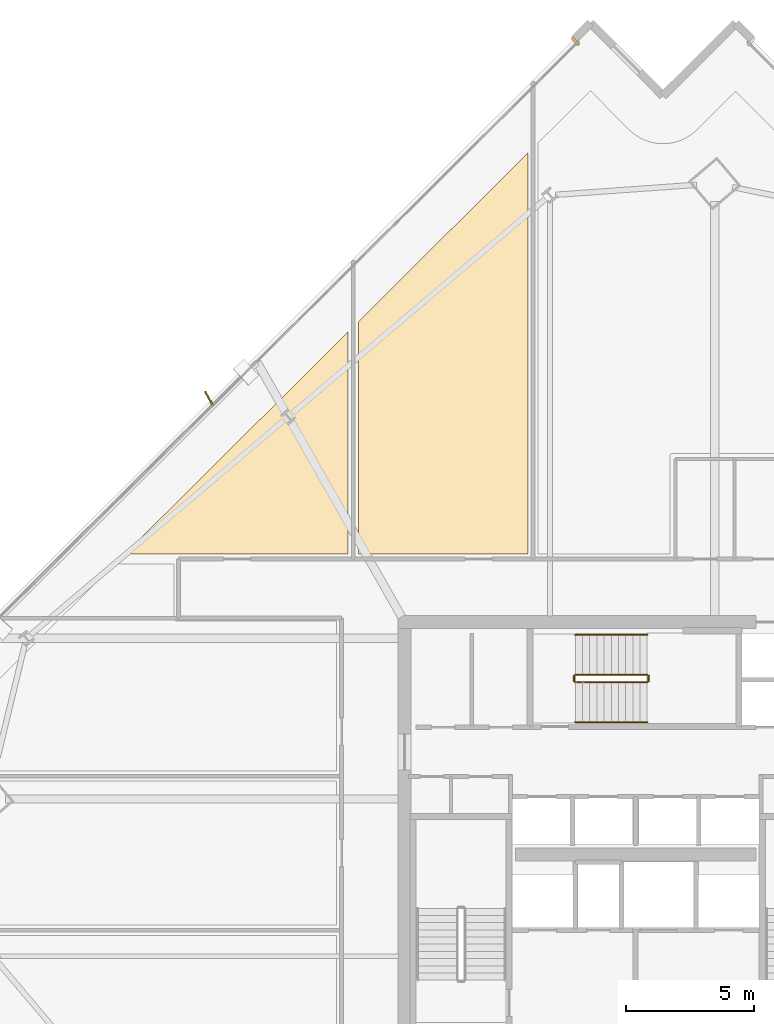
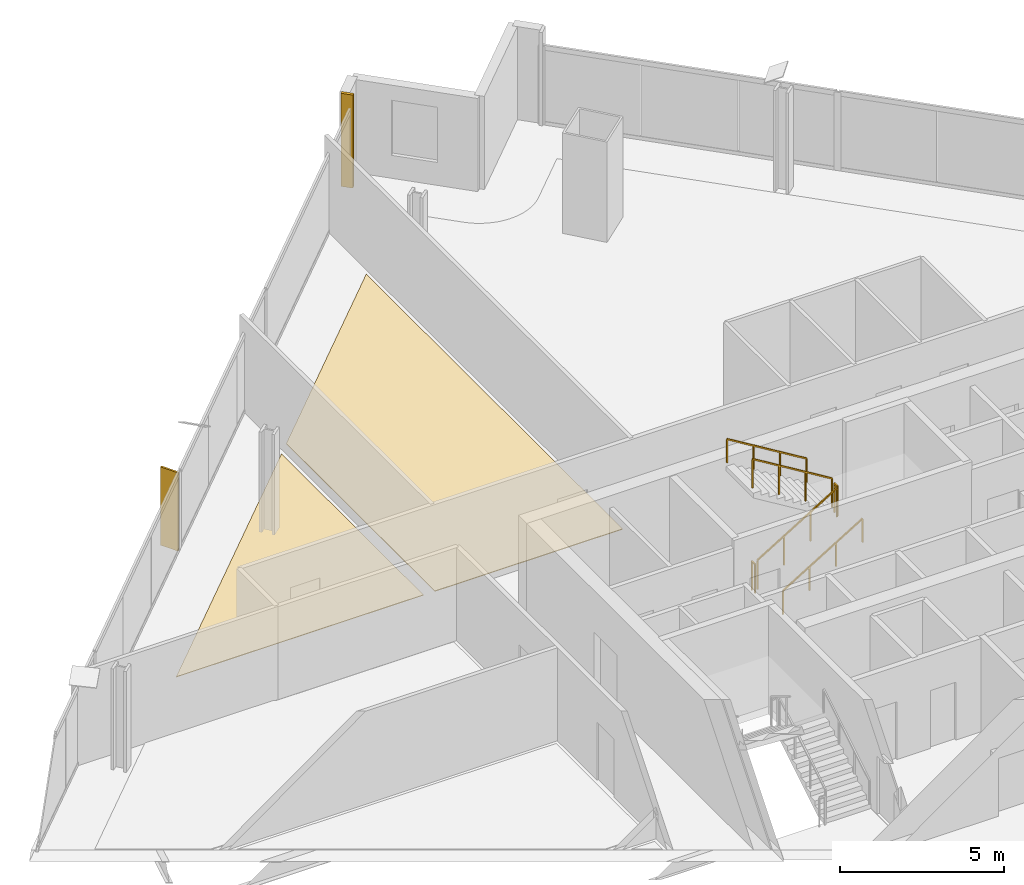
# One storey, part 31 of 32: 6 railings, 3 coverings, 1 shading device.
"""IFC4 building model written with IfcOpenShell, lengths in metres."""

import ifcopenshell
import ifcopenshell.guid

model = None  # the IFC model being written
_history = None  # IfcOwnerHistory: only IFC2X3 demands one
_inside = {}  # id of a spatial element -> (the spatial element, [elements in it])
_under = {}  # id of a project, library or spatial element -> (it, [spatial elements below it])
_declared = {}  # id of a project -> (the project, [libraries it declares])
_typed = {}  # id of a type object -> (the type object, [elements of that type])
_made_of = {}  # id of a material, layer set ... -> (it, [elements and type objects made of it])


def new_model(schema):
    """Start an empty IFC model of exactly this schema.

    Asked for "IFC4X3", IfcOpenShell would pick the latest addendum, in which some entities
    have other attributes; the version numbers below select the first issue.
    IFC2X3 requires an IfcOwnerHistory on every rooted entity: one is made here for all.
    """
    global model, _history
    if schema == "IFC4X3":
        model = ifcopenshell.file(schema_version=(4, 3, 0, 0))
    else:
        model = ifcopenshell.file(schema=schema)
    _inside.clear()
    _under.clear()
    _declared.clear()
    _typed.clear()
    _made_of.clear()
    _history = None
    if model.schema == "IFC2X3":
        org = make("IfcOrganization", Name="unknown")
        user = make(
            "IfcPersonAndOrganization",
            ThePerson=make("IfcPerson", FamilyName="unknown"),
            TheOrganization=org,
        )
        app = make(
            "IfcApplication",
            ApplicationDeveloper=org,
            Version="unknown",
            ApplicationFullName="unknown",
            ApplicationIdentifier="unknown",
        )
        _history = make(
            "IfcOwnerHistory",
            OwningUser=user,
            OwningApplication=app,
            ChangeAction="ADDED",
            CreationDate=0,
        )
    return model


def make(cls, **values):
    """One entity of the class cls with the attributes given. An attribute that is None is left unset."""
    return model.create_entity(
        cls, **{name: value for name, value in values.items() if value is not None}
    )


def rooted(cls, **values):
    """An entity with a GlobalId (a new one), such as an element, a storey or a relation."""
    return make(cls, GlobalId=ifcopenshell.guid.new(), OwnerHistory=_history, **values)


def si_unit(unit_type, name, prefix=None):
    """IfcSIUnit, for example si_unit("LENGTHUNIT", "METRE", prefix="MILLI")."""
    return make("IfcSIUnit", UnitType=unit_type, Prefix=prefix, Name=name)


def assignment(units):
    """IfcUnitAssignment: the units of a project."""
    return None if units is None else make("IfcUnitAssignment", Units=units)


def point(xyz):
    """IfcCartesianPoint."""
    return None if xyz is None else make("IfcCartesianPoint", Coordinates=xyz)


def direction(xyz):
    """IfcDirection."""
    return None if xyz is None else make("IfcDirection", DirectionRatios=xyz)


def frame(location, z_axis=None, x_axis=None):
    """IfcAxis2Placement3D, a coordinate frame: its origin and axes. An axis left out is left unset."""
    return make(
        "IfcAxis2Placement3D",
        Location=point(location),
        Axis=direction(z_axis),
        RefDirection=direction(x_axis),
    )


def frame_2d(location, x_axis=None):
    """IfcAxis2Placement2D, a coordinate frame in the plane: its origin and x axis."""
    return make(
        "IfcAxis2Placement2D", Location=point(location), RefDirection=direction(x_axis)
    )


def origin():
    """The frame at (0, 0, 0) with its axes left unset."""
    return frame((0.0, 0.0, 0.0))


def origin_2d():
    """The frame at (0, 0) in the plane with its x axis left unset."""
    return frame_2d((0.0, 0.0))


def place(relative_to, where):
    """IfcLocalPlacement: puts the frame where relative to a parent placement (None: the world)."""
    return make(
        "IfcLocalPlacement", PlacementRelTo=relative_to, RelativePlacement=where
    )


def context(
    kind, dimensions, precision=None, world=None, true_north=None, identifier=None
):
    """IfcGeometricRepresentationContext, for example the 3D "Model" context."""
    return make(
        "IfcGeometricRepresentationContext",
        ContextIdentifier=identifier,
        ContextType=kind,
        CoordinateSpaceDimension=dimensions,
        Precision=precision,
        WorldCoordinateSystem=world,
        TrueNorth=true_north,
    )


def subcontext(parent, identifier, kind, view, scale=None):
    """IfcGeometricRepresentationSubContext, for example "Body" below "Model"."""
    return make(
        "IfcGeometricRepresentationSubContext",
        ContextIdentifier=identifier,
        ContextType=kind,
        ParentContext=parent,
        TargetScale=scale,
        TargetView=view,
    )


def project(units=None, contexts=None):
    """IfcProject with its units and contexts."""
    return rooted(
        "IfcProject",
        Name="project",
        RepresentationContexts=contexts,
        UnitsInContext=assignment(units),
    )


def spatial(cls, under=None, at=None, **own):
    """A site, building, storey or space (cls), placed at a placement, below another one or the project."""
    s = rooted(cls, ObjectPlacement=at, **own)
    if under is not None:
        _under.setdefault(under.id(), (under, []))[1].append(s)
    return s


def polyline(points):
    """IfcPolyline through the points."""
    return make("IfcPolyline", Points=[point(p) for p in points])


def profile(cls, at=None, kind="AREA", **sizes):
    """A parametric profile (cls). Its sizes go by their IFC names, for example OverallWidth=200.0."""
    return make(cls, ProfileType=kind, Position=at, **sizes)


def rectangle(**sizes):
    """IfcRectangleProfileDef."""
    return profile("IfcRectangleProfileDef", **sizes)


def outline(outer, holes=None, kind="AREA"):
    """IfcArbitraryClosedProfileDef: a profile drawn as a closed curve; with holes, ...WithVoids."""
    if holes is None:
        return make("IfcArbitraryClosedProfileDef", ProfileType=kind, OuterCurve=outer)
    return make(
        "IfcArbitraryProfileDefWithVoids",
        ProfileType=kind,
        OuterCurve=outer,
        InnerCurves=holes,
    )


def extrude(swept, where, along, depth):
    """IfcExtrudedAreaSolid: the profile swept, set in the frame where, extruded along a direction by depth."""
    return make(
        "IfcExtrudedAreaSolid",
        SweptArea=swept,
        Position=where,
        ExtrudedDirection=direction(along),
        Depth=depth,
    )


def shape(context_of_items, identifier, shape_type, items):
    """IfcShapeRepresentation: the items that make up one representation, for example the "Body"."""
    return make(
        "IfcShapeRepresentation",
        ContextOfItems=context_of_items,
        RepresentationIdentifier=identifier,
        RepresentationType=shape_type,
        Items=items,
    )


def source(mapping_origin, context_of_items, identifier, shape_type, items):
    """IfcRepresentationMap: a shape defined once, which mapped items show again and again."""
    return make(
        "IfcRepresentationMap",
        MappingOrigin=mapping_origin,
        MappedRepresentation=shape(context_of_items, identifier, shape_type, items),
    )


def transform(
    local_origin,
    x_axis=None,
    y_axis=None,
    z_axis=None,
    scale=None,
    scale2=None,
    scale3=None,
    uniform=True,
):
    """IfcCartesianTransformationOperator3D, or its non-uniform kind. x_axis, y_axis, z_axis: its Axis1, 2, 3."""
    if uniform:
        return make(
            "IfcCartesianTransformationOperator3D",
            Axis1=direction(x_axis),
            Axis2=direction(y_axis),
            LocalOrigin=point(local_origin),
            Scale=scale,
            Axis3=direction(z_axis),
        )
    return make(
        "IfcCartesianTransformationOperator3DnonUniform",
        Axis1=direction(x_axis),
        Axis2=direction(y_axis),
        LocalOrigin=point(local_origin),
        Scale=scale,
        Axis3=direction(z_axis),
        Scale2=scale2,
        Scale3=scale3,
    )


def mapped(mapping_source, mapping_target):
    """IfcMappedItem: shows the shape of a source again, moved by a transform."""
    return make(
        "IfcMappedItem", MappingSource=mapping_source, MappingTarget=mapping_target
    )


def material(Name=None, Category=None):
    """IfcMaterial."""
    return make("IfcMaterial", Name=Name, Category=Category)


def layer(
    of_material, thickness, ventilated=None, Name=None, Category=None, Priority=None
):
    """IfcMaterialLayer: one layer of a wall or slab, of a material (None: an air gap)."""
    return make(
        "IfcMaterialLayer",
        Material=of_material,
        LayerThickness=thickness,
        IsVentilated=ventilated,
        Name=Name,
        Category=Category,
        Priority=Priority,
    )


def layer_set(layers, Name=None):
    """IfcMaterialLayerSet."""
    return make("IfcMaterialLayerSet", MaterialLayers=layers, LayerSetName=Name)


def made_of(thing, what):
    """Note that an element or type object is made of a material, layer set ...; save() writes the relation."""
    if what is not None:
        _made_of.setdefault(what.id(), (what, []))[1].append(thing)
    return thing


def type_object(cls, material=None, **own):
    """A type object (cls), such as IfcWallType, which elements share."""
    return made_of(rooted(cls, **own), material)


def element(
    cls,
    number,
    at=None,
    inside=None,
    cuts=None,
    type_object=None,
    material=None,
    context=None,
    identifier="Body",
    shape_type=None,
    held_by="IfcProductDefinitionShape",
    body=None,
    shapes=None,
    **own,
):
    """One element of the class cls, such as IfcWall. Its Tag is "e" and its number.

    at: its placement. inside: the storey or other place that contains it. cuts: it is an
    opening in that element (IfcRelVoidsElement). A single representation is given by context,
    identifier, shape_type and body (its items); several are given by shapes. held_by: the class
    of the entity that holds the representations. save() writes the other relations.
    """
    e = rooted(cls, Tag="e%d" % number, ObjectPlacement=at, **own)
    if body is not None:
        shapes = [shape(context, identifier, shape_type, body)]
    if shapes is not None:
        e.Representation = make(held_by, Representations=shapes)
    if inside is not None:
        _inside.setdefault(inside.id(), (inside, []))[1].append(e)
    if cuts is not None:
        rooted(
            "IfcRelVoidsElement", RelatingBuildingElement=cuts, RelatedOpeningElement=e
        )
    if type_object is not None:
        _typed.setdefault(type_object.id(), (type_object, []))[1].append(e)
    return made_of(e, material)


def aggregate(whole, parts):
    """IfcRelAggregates: a whole, such as a stair, and the parts it consists of."""
    return rooted("IfcRelAggregates", RelatingObject=whole, RelatedObjects=parts)


def save(model, path):
    """Write the relations noted so far, then the file.

    IfcRelAggregates (storeys below a building ...), IfcRelContainedInSpatialStructure (elements
    in a storey), IfcRelDefinesByType, IfcRelAssociatesMaterial and IfcRelDeclares: one each for
    every whole, place, type object, material and project.
    """
    for whole, parts in _under.values():
        aggregate(whole, parts)
    for where, things in _inside.values():
        rooted(
            "IfcRelContainedInSpatialStructure",
            RelatedElements=things,
            RelatingStructure=where,
        )
    for kind, things in _typed.values():
        rooted("IfcRelDefinesByType", RelatedObjects=things, RelatingType=kind)
    for what, things in _made_of.values():
        rooted("IfcRelAssociatesMaterial", RelatedObjects=things, RelatingMaterial=what)
    for by, libraries in _declared.values():
        rooted("IfcRelDeclares", RelatingContext=by, RelatedDefinitions=libraries)
    model.write(path)


model = new_model("IFC4")

# Units and contexts
model_context = context("Model", 3, precision=1e-05, world=origin(), true_north=direction((0.0, 1.0)))
body_context = subcontext(model_context, "Body", "Model", "MODEL_VIEW")
ifc_project = project(units=[si_unit("LENGTHUNIT", "METRE"), si_unit("AREAUNIT", "SQUARE_METRE"), si_unit("VOLUMEUNIT", "CUBIC_METRE"), si_unit("PLANEANGLEUNIT", "RADIAN"), si_unit("MASSUNIT", "GRAM", prefix="KILO")], contexts=[model_context])

# Site, building, storey
site_placement = place(None, origin())
site = spatial("IfcSite", under=ifc_project, at=site_placement, CompositionType="ELEMENT")
building_placement = place(site_placement, origin())
building = spatial("IfcBuilding", under=site, at=building_placement, Name="Haldenkirk Collegiate Tower", CompositionType="ELEMENT")
storey_placement = place(building_placement, frame((0.0, 0.0, 178.199951171875)))
storey = spatial("IfcBuildingStorey", under=building, at=storey_placement, Name="L44", CompositionType="ELEMENT", Elevation=178.199951171875)

# Coverings
ifc_material_1 = material(Name="Polished collegiate terrazzo", Category="concrete")
ifc_layer_1 = layer(ifc_material_1, 0.02490234375)
ifc_layer_set_1 = layer_set([ifc_layer_1], Name="Polished collegiate terrazzo")
covering_type_1 = type_object("IfcCoveringType", Name="COV-FLOOR-TERRAZZO", PredefinedType="FLOORING", material=ifc_layer_set_1)
covering_1_placement = place(storey_placement, origin())
element("IfcCovering", 1, at=covering_1_placement, inside=storey, type_object=covering_type_1, Name="L44 academic room finish 06", PredefinedType="FLOORING", context=body_context, shape_type="SweptSolid", body=[
    extrude(outline(polyline([(31.800048828125, 52.260986328125), (31.800048828125, 36.64990234375), (25.199951171875, 36.64990234375), (25.199951171875, 45.695556640625), (31.800048828125, 52.260986328125)])), origin(), (0.0, 0.0, 1.0), 0.025146484375),
])
ifc_material_2 = material(Name="Engineered collegiate oak acoustic flooring", Category="wood")
ifc_layer_2 = layer(ifc_material_2, 0.02197265625)
ifc_layer_set_2 = layer_set([ifc_layer_2], Name="Engineered collegiate oak acoustic flooring")
covering_type_2 = type_object("IfcCoveringType", Name="COV-FLOOR-TIMBER", PredefinedType="FLOORING", material=ifc_layer_set_2)
covering_2_placement = place(storey_placement, origin())
element("IfcCovering", 2, at=covering_2_placement, inside=storey, type_object=covering_type_2, Name="L44 academic room finish 05", PredefinedType="FLOORING", context=body_context, shape_type="SweptSolid", body=[
    extrude(outline(polyline([(24.800048828125, 45.297607421875), (24.800048828125, 36.64990234375), (16.10693359375, 36.64990234375), (24.800048828125, 45.297607421875)])), origin(), (0.0, 0.0, 1.0), 0.02197265625),
])

# Railings
ifc_material_3 = material(Name="Painted architectural tubular steel", Category="steel")
railing_type_1 = type_object("IfcRailingType", Name="RLG-STAIR-GUARD-1100", PredefinedType="BALUSTRADE", material=ifc_material_3)
railing_1_placement = place(storey_placement, frame((33.64990234375, 31.64990234375, 0.17041015625)))
element("IfcRailing", 3, at=railing_1_placement, inside=storey, type_object=railing_type_1, Name="L44 ST-3 stair guard 1", PredefinedType="BALUSTRADE", context=body_context, shape_type="SweptSolid", body=[
    extrude(rectangle(XDim=0.048095703125, YDim=0.048095703125, at=origin_2d()), frame((0.0, 0.0, 1.076171875), z_axis=(0.854169791009, 0.0, 0.51999420009), x_axis=(0.0, 1.0, 0.0)), (0.0, 0.0, 1.0), 3.278076171875),
    extrude(rectangle(XDim=0.0419921875, YDim=0.0419921875, at=origin_2d()), origin(), (0.0, 0.0, 1.0), 1.052001953125),
    extrude(rectangle(XDim=0.0419921875, YDim=0.0419921875, at=origin_2d()), frame((0.933349609375, 0.0, 0.568115234375)), (0.0, 0.0, 1.0), 1.052001953125),
    extrude(rectangle(XDim=0.0419921875, YDim=0.0419921875, at=origin_2d()), frame((1.86669921875, 0.0, 1.136474609375)), (0.0, 0.0, 1.0), 1.052001953125),
    extrude(rectangle(XDim=0.0419921875, YDim=0.0419921875, at=origin_2d()), frame((2.800048828125, 0.0, 1.70458984375)), (0.0, 0.0, 1.0), 1.052001953125),
])
railing_2_placement = place(storey_placement, frame((36.5, 31.699951171875, 1.875)))
element("IfcRailing", 4, at=railing_2_placement, inside=storey, type_object=railing_type_1, Name="L44 ST-3 stair guard 2", PredefinedType="BALUSTRADE", context=body_context, shape_type="SweptSolid", body=[
    extrude(rectangle(XDim=0.048095703125, YDim=0.048095703125, at=origin_2d()), frame((0.0, 0.0, 1.076171875), z_axis=(0.0, 1.0, 0.0), x_axis=(-1.0, 0.0, 0.0)), (0.0, 0.0, 1.0), 0.199951171875),
    extrude(rectangle(XDim=0.0419921875, YDim=0.0419921875, at=origin_2d()), origin(), (0.0, 0.0, 1.0), 1.052001953125),
    extrude(rectangle(XDim=0.0419921875, YDim=0.0419921875, at=origin_2d()), frame((0.0, 0.199951171875, 0.0)), (0.0, 0.0, 1.0), 1.052001953125),
])
railing_3_placement = place(storey_placement, frame((36.449951171875, 31.949951171875, 2.04541015625)))
element("IfcRailing", 5, at=railing_3_placement, inside=storey, type_object=railing_type_1, Name="L44 ST-3 stair guard 3", PredefinedType="BALUSTRADE", context=body_context, shape_type="SweptSolid", body=[
    extrude(rectangle(XDim=0.048095703125, YDim=0.048095703125, at=origin_2d()), frame((0.0, 0.0, 1.076171875), z_axis=(-0.854169791009, 0.0, 0.51999420009), x_axis=(0.0, -1.0, 0.0)), (0.0, 0.0, 1.0), 3.278076171875),
    extrude(rectangle(XDim=0.0419921875, YDim=0.0419921875, at=origin_2d()), origin(), (0.0, 0.0, 1.0), 1.052001953125),
    extrude(rectangle(XDim=0.0419921875, YDim=0.0419921875, at=origin_2d()), frame((-0.933349609375, 0.0, 0.568115234375)), (0.0, 0.0, 1.0), 1.052001953125),
    extrude(rectangle(XDim=0.0419921875, YDim=0.0419921875, at=origin_2d()), frame((-1.86669921875, 0.0, 1.136474609375)), (0.0, 0.0, 1.0), 1.052001953125),
    extrude(rectangle(XDim=0.0419921875, YDim=0.0419921875, at=origin_2d()), frame((-2.800048828125, 0.0, 1.70458984375)), (0.0, 0.0, 1.0), 1.052001953125),
])
railing_4_placement = place(storey_placement, frame((33.60009765625, 31.699951171875, 0.0)))
element("IfcRailing", 6, at=railing_4_placement, inside=storey, type_object=railing_type_1, Name="L44 ST-3 stair guard 4", PredefinedType="BALUSTRADE", context=body_context, shape_type="SweptSolid", body=[
    extrude(rectangle(XDim=0.048095703125, YDim=0.048095703125, at=origin_2d()), frame((0.0, 0.0, 1.076171875), z_axis=(0.0, 1.0, 0.0), x_axis=(-1.0, 0.0, 0.0)), (0.0, 0.0, 1.0), 0.199951171875),
    extrude(rectangle(XDim=0.0419921875, YDim=0.0419921875, at=origin_2d()), origin(), (0.0, 0.0, 1.0), 1.052001953125),
    extrude(rectangle(XDim=0.0419921875, YDim=0.0419921875, at=origin_2d()), frame((0.0, 0.199951171875, 0.0)), (0.0, 0.0, 1.0), 1.052001953125),
])
railing_type_2 = type_object("IfcRailingType", Name="RLG-STAIR-HANDRAIL-900", PredefinedType="HANDRAIL", material=ifc_material_3)
railing_5_placement = place(storey_placement, frame((33.64990234375, 30.10009765625, 0.17041015625)))
element("IfcRailing", 7, at=railing_5_placement, inside=storey, type_object=railing_type_2, Name="L44 ST-3 stair handrail 1", PredefinedType="HANDRAIL", context=body_context, shape_type="SweptSolid", body=[
    extrude(rectangle(XDim=0.048095703125, YDim=0.048095703125, at=origin_2d()), frame((0.0, 0.0, 0.8759765625), z_axis=(0.854169791009, 0.0, 0.51999420009), x_axis=(0.0, 1.0, 0.0)), (0.0, 0.0, 1.0), 3.278076171875),
    extrude(rectangle(XDim=0.0419921875, YDim=0.0419921875, at=origin_2d()), origin(), (0.0, 0.0, 1.0), 0.851806640625),
    extrude(rectangle(XDim=0.0419921875, YDim=0.0419921875, at=origin_2d()), frame((0.933349609375, 0.0, 0.568115234375)), (0.0, 0.0, 1.0), 0.851806640625),
    extrude(rectangle(XDim=0.0419921875, YDim=0.0419921875, at=origin_2d()), frame((1.86669921875, 0.0, 1.136474609375)), (0.0, 0.0, 1.0), 0.851806640625),
    extrude(rectangle(XDim=0.0419921875, YDim=0.0419921875, at=origin_2d()), frame((2.800048828125, 0.0, 1.70458984375)), (0.0, 0.0, 1.0), 0.851806640625),
])
railing_6_placement = place(storey_placement, frame((36.449951171875, 33.5, 2.04541015625)))
element("IfcRailing", 8, at=railing_6_placement, inside=storey, type_object=railing_type_2, Name="L44 ST-3 stair handrail 2", PredefinedType="HANDRAIL", context=body_context, shape_type="SweptSolid", body=[
    extrude(rectangle(XDim=0.048095703125, YDim=0.048095703125, at=origin_2d()), frame((0.0, 0.0, 0.8759765625), z_axis=(-0.854169791009, 0.0, 0.51999420009), x_axis=(0.0, -1.0, 0.0)), (0.0, 0.0, 1.0), 3.278076171875),
    extrude(rectangle(XDim=0.0419921875, YDim=0.0419921875, at=origin_2d()), origin(), (0.0, 0.0, 1.0), 0.851806640625),
    extrude(rectangle(XDim=0.0419921875, YDim=0.0419921875, at=origin_2d()), frame((-0.933349609375, 0.0, 0.568115234375)), (0.0, 0.0, 1.0), 0.851806640625),
    extrude(rectangle(XDim=0.0419921875, YDim=0.0419921875, at=origin_2d()), frame((-1.86669921875, 0.0, 1.136474609375)), (0.0, 0.0, 1.0), 0.851806640625),
    extrude(rectangle(XDim=0.0419921875, YDim=0.0419921875, at=origin_2d()), frame((-2.800048828125, 0.0, 1.70458984375)), (0.0, 0.0, 1.0), 0.851806640625),
])

# Covering
ifc_material_4 = material(Name="Anodised architectural bronze aluminium", Category="aluminium")
ifc_layer_3 = layer(ifc_material_4, 0.06005859375)
ifc_layer_set_3 = layer_set([ifc_layer_3], Name="Anodised architectural bronze aluminium")
covering_type_3 = type_object("IfcCoveringType", Name="COV-CLAD-BRONZE-60", PredefinedType="CLADDING", material=ifc_layer_set_3)
shared_shape_1 = source(origin(), body_context, "Body", "SweptSolid", [
    extrude(rectangle(XDim=0.10009765625, YDim=0.3798828125, at=origin_2d()), origin(), (0.0, 0.0, 1.0), 3.4599609375),
])
covering_3_placement = place(storey_placement, frame((33.647705078125, 56.60986328125, 0.0), z_axis=(0.0, 0.0, 1.0), x_axis=(0.708955557081, 0.705253158862, 0.0)))
element("IfcCovering", 9, at=covering_3_placement, inside=storey, type_object=covering_type_3, Name="L44 recessed curtain-wall bronze jamb closure NJR", PredefinedType="CLADDING", context=body_context, shape_type="MappedRepresentation", body=[
    mapped(shared_shape_1, transform((0.0, 0.0, 0.0), x_axis=(1.0, 0.0, 0.0), y_axis=(0.0, 1.0, 0.0), z_axis=(0.0, 0.0, 1.0), scale=1.0)),
])

# Shading device
ifc_layer_4 = layer(ifc_material_4, 0.06494140625)
ifc_layer_set_4 = layer_set([ifc_layer_4], Name="Anodised architectural bronze aluminium")
shading_device_type = type_object("IfcShadingDeviceType", Name="SHD-FIN-BRONZE-620", PredefinedType="USERDEFINED", material=ifc_layer_set_4)
shared_shape_2 = source(origin(), body_context, "Body", "SweptSolid", [
    extrude(rectangle(XDim=0.6201171875, YDim=0.06494140625, at=origin_2d()), origin(), (0.0, 0.0, 1.0), 2.910888671875),
])
shading_device_placement = place(storey_placement, frame((19.380615234375, 42.70654296875, 0.0), z_axis=(0.0, 0.0, 1.0), x_axis=(-0.482518212408, 0.875885937035, 0.0)))
element("IfcShadingDevice", 10, at=shading_device_placement, inside=storey, type_object=shading_device_type, Name="L44 folded bronze solar fin 1", ObjectType="FIN", PredefinedType="USERDEFINED", context=body_context, shape_type="MappedRepresentation", body=[
    mapped(shared_shape_2, transform((0.0, 0.0, 0.0), x_axis=(1.0, 0.0, 0.0), y_axis=(0.0, 1.0, 0.0), z_axis=(0.0, 0.0, 1.0), scale=1.0)),
])

save(model, "model.ifc")
